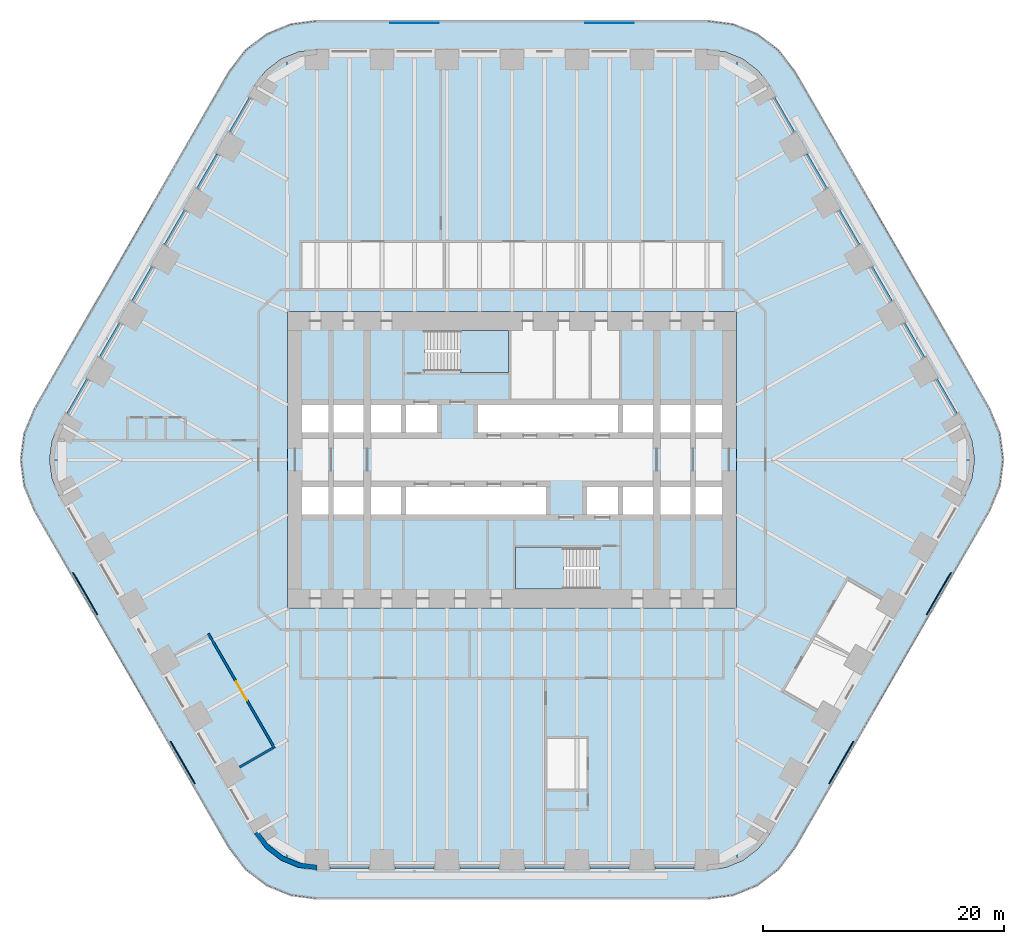
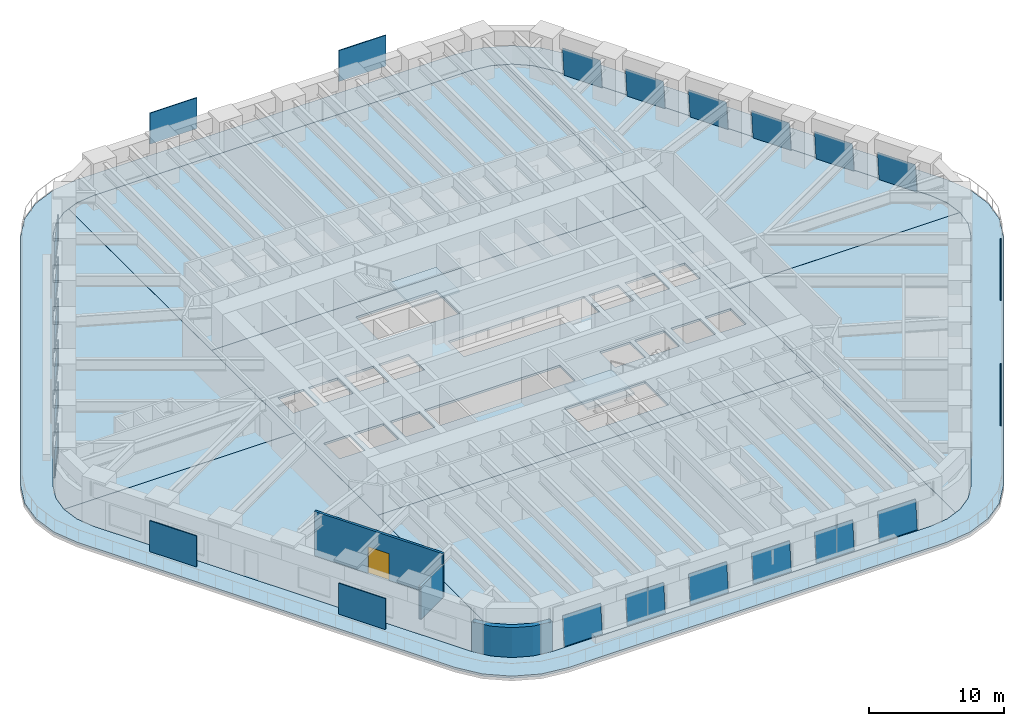
# One storey, part 15 of 23: 24 plates, 10 slabs, 3 walls, 1 door, 1 opening, 20 elements without a shape of their own.
"""IFC4 building model written with IfcOpenShell, lengths in metres."""

import ifcopenshell
import ifcopenshell.guid

model = None  # the IFC model being written
_history = None  # IfcOwnerHistory: only IFC2X3 demands one
_inside = {}  # id of a spatial element -> (the spatial element, [elements in it])
_under = {}  # id of a project, library or spatial element -> (it, [spatial elements below it])
_declared = {}  # id of a project -> (the project, [libraries it declares])
_typed = {}  # id of a type object -> (the type object, [elements of that type])
_made_of = {}  # id of a material, layer set ... -> (it, [elements and type objects made of it])


def new_model(schema):
    """Start an empty IFC model of exactly this schema.

    Asked for "IFC4X3", IfcOpenShell would pick the latest addendum, in which some entities
    have other attributes; the version numbers below select the first issue.
    IFC2X3 requires an IfcOwnerHistory on every rooted entity: one is made here for all.
    """
    global model, _history
    if schema == "IFC4X3":
        model = ifcopenshell.file(schema_version=(4, 3, 0, 0))
    else:
        model = ifcopenshell.file(schema=schema)
    _inside.clear()
    _under.clear()
    _declared.clear()
    _typed.clear()
    _made_of.clear()
    _history = None
    if model.schema == "IFC2X3":
        org = make("IfcOrganization", Name="unknown")
        user = make(
            "IfcPersonAndOrganization",
            ThePerson=make("IfcPerson", FamilyName="unknown"),
            TheOrganization=org,
        )
        app = make(
            "IfcApplication",
            ApplicationDeveloper=org,
            Version="unknown",
            ApplicationFullName="unknown",
            ApplicationIdentifier="unknown",
        )
        _history = make(
            "IfcOwnerHistory",
            OwningUser=user,
            OwningApplication=app,
            ChangeAction="ADDED",
            CreationDate=0,
        )
    return model


def make(cls, **values):
    """One entity of the class cls with the attributes given. An attribute that is None is left unset."""
    return model.create_entity(
        cls, **{name: value for name, value in values.items() if value is not None}
    )


def rooted(cls, **values):
    """An entity with a GlobalId (a new one), such as an element, a storey or a relation."""
    return make(cls, GlobalId=ifcopenshell.guid.new(), OwnerHistory=_history, **values)


def si_unit(unit_type, name, prefix=None):
    """IfcSIUnit, for example si_unit("LENGTHUNIT", "METRE", prefix="MILLI")."""
    return make("IfcSIUnit", UnitType=unit_type, Prefix=prefix, Name=name)


def assignment(units):
    """IfcUnitAssignment: the units of a project."""
    return None if units is None else make("IfcUnitAssignment", Units=units)


def point(xyz):
    """IfcCartesianPoint."""
    return None if xyz is None else make("IfcCartesianPoint", Coordinates=xyz)


def direction(xyz):
    """IfcDirection."""
    return None if xyz is None else make("IfcDirection", DirectionRatios=xyz)


def frame(location, z_axis=None, x_axis=None):
    """IfcAxis2Placement3D, a coordinate frame: its origin and axes. An axis left out is left unset."""
    return make(
        "IfcAxis2Placement3D",
        Location=point(location),
        Axis=direction(z_axis),
        RefDirection=direction(x_axis),
    )


def frame_2d(location, x_axis=None):
    """IfcAxis2Placement2D, a coordinate frame in the plane: its origin and x axis."""
    return make(
        "IfcAxis2Placement2D", Location=point(location), RefDirection=direction(x_axis)
    )


def origin():
    """The frame at (0, 0, 0) with its axes left unset."""
    return frame((0.0, 0.0, 0.0))


def origin_2d():
    """The frame at (0, 0) in the plane with its x axis left unset."""
    return frame_2d((0.0, 0.0))


def place(relative_to, where):
    """IfcLocalPlacement: puts the frame where relative to a parent placement (None: the world)."""
    return make(
        "IfcLocalPlacement", PlacementRelTo=relative_to, RelativePlacement=where
    )


def context(
    kind, dimensions, precision=None, world=None, true_north=None, identifier=None
):
    """IfcGeometricRepresentationContext, for example the 3D "Model" context."""
    return make(
        "IfcGeometricRepresentationContext",
        ContextIdentifier=identifier,
        ContextType=kind,
        CoordinateSpaceDimension=dimensions,
        Precision=precision,
        WorldCoordinateSystem=world,
        TrueNorth=true_north,
    )


def subcontext(parent, identifier, kind, view, scale=None):
    """IfcGeometricRepresentationSubContext, for example "Body" below "Model"."""
    return make(
        "IfcGeometricRepresentationSubContext",
        ContextIdentifier=identifier,
        ContextType=kind,
        ParentContext=parent,
        TargetScale=scale,
        TargetView=view,
    )


def project(units=None, contexts=None):
    """IfcProject with its units and contexts."""
    return rooted(
        "IfcProject",
        Name="project",
        RepresentationContexts=contexts,
        UnitsInContext=assignment(units),
    )


def spatial(cls, under=None, at=None, **own):
    """A site, building, storey or space (cls), placed at a placement, below another one or the project."""
    s = rooted(cls, ObjectPlacement=at, **own)
    if under is not None:
        _under.setdefault(under.id(), (under, []))[1].append(s)
    return s


def polyline(points):
    """IfcPolyline through the points."""
    return make("IfcPolyline", Points=[point(p) for p in points])


def profile(cls, at=None, kind="AREA", **sizes):
    """A parametric profile (cls). Its sizes go by their IFC names, for example OverallWidth=200.0."""
    return make(cls, ProfileType=kind, Position=at, **sizes)


def rectangle(**sizes):
    """IfcRectangleProfileDef."""
    return profile("IfcRectangleProfileDef", **sizes)


def outline(outer, holes=None, kind="AREA"):
    """IfcArbitraryClosedProfileDef: a profile drawn as a closed curve; with holes, ...WithVoids."""
    if holes is None:
        return make("IfcArbitraryClosedProfileDef", ProfileType=kind, OuterCurve=outer)
    return make(
        "IfcArbitraryProfileDefWithVoids",
        ProfileType=kind,
        OuterCurve=outer,
        InnerCurves=holes,
    )


def extrude(swept, where, along, depth):
    """IfcExtrudedAreaSolid: the profile swept, set in the frame where, extruded along a direction by depth."""
    return make(
        "IfcExtrudedAreaSolid",
        SweptArea=swept,
        Position=where,
        ExtrudedDirection=direction(along),
        Depth=depth,
    )


def shape(context_of_items, identifier, shape_type, items):
    """IfcShapeRepresentation: the items that make up one representation, for example the "Body"."""
    return make(
        "IfcShapeRepresentation",
        ContextOfItems=context_of_items,
        RepresentationIdentifier=identifier,
        RepresentationType=shape_type,
        Items=items,
    )


def material(Name=None, Category=None):
    """IfcMaterial."""
    return make("IfcMaterial", Name=Name, Category=Category)


def layer(
    of_material, thickness, ventilated=None, Name=None, Category=None, Priority=None
):
    """IfcMaterialLayer: one layer of a wall or slab, of a material (None: an air gap)."""
    return make(
        "IfcMaterialLayer",
        Material=of_material,
        LayerThickness=thickness,
        IsVentilated=ventilated,
        Name=Name,
        Category=Category,
        Priority=Priority,
    )


def layer_set(layers, Name=None):
    """IfcMaterialLayerSet."""
    return make("IfcMaterialLayerSet", MaterialLayers=layers, LayerSetName=Name)


def made_of(thing, what):
    """Note that an element or type object is made of a material, layer set ...; save() writes the relation."""
    if what is not None:
        _made_of.setdefault(what.id(), (what, []))[1].append(thing)
    return thing


def type_object(cls, material=None, **own):
    """A type object (cls), such as IfcWallType, which elements share."""
    return made_of(rooted(cls, **own), material)


def element(
    cls,
    number,
    at=None,
    inside=None,
    cuts=None,
    type_object=None,
    material=None,
    context=None,
    identifier="Body",
    shape_type=None,
    held_by="IfcProductDefinitionShape",
    body=None,
    shapes=None,
    **own,
):
    """One element of the class cls, such as IfcWall. Its Tag is "e" and its number.

    at: its placement. inside: the storey or other place that contains it. cuts: it is an
    opening in that element (IfcRelVoidsElement). A single representation is given by context,
    identifier, shape_type and body (its items); several are given by shapes. held_by: the class
    of the entity that holds the representations. save() writes the other relations.
    """
    e = rooted(cls, Tag="e%d" % number, ObjectPlacement=at, **own)
    if body is not None:
        shapes = [shape(context, identifier, shape_type, body)]
    if shapes is not None:
        e.Representation = make(held_by, Representations=shapes)
    if inside is not None:
        _inside.setdefault(inside.id(), (inside, []))[1].append(e)
    if cuts is not None:
        rooted(
            "IfcRelVoidsElement", RelatingBuildingElement=cuts, RelatedOpeningElement=e
        )
    if type_object is not None:
        _typed.setdefault(type_object.id(), (type_object, []))[1].append(e)
    return made_of(e, material)


def fill(opening, filler):
    """IfcRelFillsElement: the door or window that sits in an opening."""
    return rooted(
        "IfcRelFillsElement",
        RelatingOpeningElement=opening,
        RelatedBuildingElement=filler,
    )


def aggregate(whole, parts):
    """IfcRelAggregates: a whole, such as a stair, and the parts it consists of."""
    return rooted("IfcRelAggregates", RelatingObject=whole, RelatedObjects=parts)


def save(model, path):
    """Write the relations noted so far, then the file.

    IfcRelAggregates (storeys below a building ...), IfcRelContainedInSpatialStructure (elements
    in a storey), IfcRelDefinesByType, IfcRelAssociatesMaterial and IfcRelDeclares: one each for
    every whole, place, type object, material and project.
    """
    for whole, parts in _under.values():
        aggregate(whole, parts)
    for where, things in _inside.values():
        rooted(
            "IfcRelContainedInSpatialStructure",
            RelatedElements=things,
            RelatingStructure=where,
        )
    for kind, things in _typed.values():
        rooted("IfcRelDefinesByType", RelatedObjects=things, RelatingType=kind)
    for what, things in _made_of.values():
        rooted("IfcRelAssociatesMaterial", RelatedObjects=things, RelatingMaterial=what)
    for by, libraries in _declared.values():
        rooted("IfcRelDeclares", RelatingContext=by, RelatedDefinitions=libraries)
    model.write(path)


model = new_model("IFC4")

# Units and contexts
model_context = context("Model", 3, precision=1e-05, world=origin(), true_north=direction((0.0, 1.0)))
body_context = subcontext(model_context, "Body", "Model", "MODEL_VIEW")
ifc_project = project(units=[si_unit("LENGTHUNIT", "METRE"), si_unit("AREAUNIT", "SQUARE_METRE"), si_unit("VOLUMEUNIT", "CUBIC_METRE"), si_unit("PLANEANGLEUNIT", "RADIAN"), si_unit("MASSUNIT", "GRAM", prefix="KILO")], contexts=[model_context])

# Site, building, storey
site_placement = place(None, origin())
site = spatial("IfcSite", under=ifc_project, at=site_placement, CompositionType="ELEMENT")
building_placement = place(site_placement, origin())
building = spatial("IfcBuilding", under=site, at=building_placement, Name="Tarfa Lantern Tower", CompositionType="ELEMENT")
storey_placement = place(building_placement, frame((0.0, 0.0, 78.10009765625)))
storey = spatial("IfcBuildingStorey", under=building, at=storey_placement, Name="L17", CompositionType="ELEMENT", Elevation=78.10009765625)

# Slab
ifc_material_1 = material(Name="Concrete C40/50", Category="concrete")
ifc_layer_1 = layer(ifc_material_1, 0.199951171875)
ifc_layer_set_1 = layer_set([ifc_layer_1], Name="BS2 BALCONY SLAB 200")
slab_type_1 = type_object("IfcSlabType", Name="BS2 BALCONY SLAB 200", PredefinedType="FLOOR", material=ifc_layer_set_1)
slab_1_placement = place(storey_placement, frame((0.0, 0.0, -0.2001953125)))
element("IfcSlab", 1, at=slab_1_placement, inside=storey, type_object=slab_type_1, Name="Balcony L17", PredefinedType="FLOOR", context=body_context, shape_type="SweptSolid", body=[
    extrude(outline(polyline([(39.606201171875, 4.199951171875), (23.4404296875, 32.199951171875), (22.10546875, 33.939697265625), (20.36572265625, 35.274658203125), (18.33984375, 36.11376953125), (16.165771484375, 36.39990234375), (-16.165771484375, 36.39990234375), (-18.33984375, 36.11376953125), (-20.36572265625, 35.274658203125), (-22.10546875, 33.939697265625), (-23.4404296875, 32.199951171875), (-39.606201171875, 4.199951171875), (-40.4453125, 2.174072265625), (-40.731689453125, 0.0), (-40.4453125, -2.174072265625), (-39.606201171875, -4.199951171875), (-23.4404296875, -32.199951171875), (-22.10546875, -33.939697265625), (-20.36572265625, -35.274658203125), (-18.33984375, -36.11376953125), (-16.165771484375, -36.39990234375), (16.165771484375, -36.39990234375), (18.33984375, -36.11376953125), (20.36572265625, -35.274658203125), (22.10546875, -33.939697265625), (23.4404296875, -32.199951171875), (39.606201171875, -4.199951171875), (40.4453125, -2.174072265625), (40.731689453125, 0.0), (40.4453125, 2.174072265625), (39.606201171875, 4.199951171875)]), holes=[polyline([(37.52783203125, 3.0), (21.362060546875, 31.0), (20.408447265625, 32.24267578125), (19.165771484375, 33.196044921875), (17.71875, 33.795654296875), (16.165771484375, 34.0), (-16.165771484375, 34.0), (-17.71875, 33.795654296875), (-19.165771484375, 33.196044921875), (-20.408447265625, 32.24267578125), (-21.362060546875, 31.0), (-37.52783203125, 3.0), (-38.127197265625, 1.552978515625), (-38.33154296875, 0.0), (-38.127197265625, -1.552978515625), (-37.52783203125, -3.0), (-21.362060546875, -31.0), (-20.408447265625, -32.24267578125), (-19.165771484375, -33.196044921875), (-17.71875, -33.795654296875), (-16.165771484375, -34.0), (16.165771484375, -34.0), (17.71875, -33.795654296875), (19.165771484375, -33.196044921875), (20.408447265625, -32.24267578125), (21.362060546875, -31.0), (37.52783203125, -3.0), (38.127197265625, -1.552978515625), (38.33154296875, 0.0), (38.127197265625, 1.552978515625), (37.52783203125, 3.0)])]), origin(), (0.0, 0.0, 1.0), 0.2001953125),
])

# Curtain wall, plate
ifc_material_2 = material(Name="Aluminium framed curtain wall", Category="aluminium")
curtain_wall_type = type_object("IfcCurtainWallType", Name="CW1 CANTED GLAZING LOW ZONE 2700", PredefinedType="USERDEFINED", material=ifc_material_2)
curtain_wall_1_placement = place(storey_placement, origin())
curtain_wall_1 = element("IfcCurtainWall", 2, at=curtain_wall_1_placement, inside=storey, type_object=curtain_wall_type, Name="CW1 NE L17", ObjectType="CURTAIN WALL", PredefinedType="USERDEFINED")
ifc_material_3 = material(Name="Laminated double glazing", Category="glass")
ifc_layer_2 = layer(ifc_material_3, 0.028076171875)
ifc_layer_set_2 = layer_set([ifc_layer_2], Name="CWP1 DOUBLE GLAZED PANEL")
plate_type_1 = type_object("IfcPlateType", Name="CWP1 DOUBLE GLAZED PANEL", PredefinedType="CURTAIN_PANEL", material=ifc_layer_set_2)
plate_1_placement = place(storey_placement, frame((36.90869140625, 3.872314453125, 0.0), z_axis=(0.862338266797, 0.497864384763, 0.09221587717), x_axis=(-0.499995082658, 0.86602824279, 2.978908e-06)))
plate_1 = element("IfcPlate", 3, at=plate_1_placement, type_object=plate_type_1, Name="CW1 panel 1.1", PredefinedType="CURTAIN_PANEL", context=body_context, shape_type="SweptSolid", body=[
    extrude(outline(polyline([(0.0, 0.0), (3.258639560562134, 0.0), (3.2585208536427297, 2.646275738901332), (3.3621925729925773e-06, 2.646295235988971), (0.0, 0.0)])), origin(), (0.0, 0.0, -1.0), 0.028076171875),
])
aggregate(curtain_wall_1, [plate_1])

curtain_wall_2_placement = place(storey_placement, origin())
curtain_wall_2 = element("IfcCurtainWall", 4, at=curtain_wall_2_placement, inside=storey, type_object=curtain_wall_type, Name="CW1 NE L17", ObjectType="CURTAIN WALL", PredefinedType="USERDEFINED")
plate_2_placement = place(storey_placement, frame((34.21435546875, 8.5390625, 0.0), z_axis=(0.862325290636, 0.497894194109, 0.092176269198), x_axis=(-0.500022939057, 0.866012159509, 0.0)))
plate_2 = element("IfcPlate", 5, at=plate_2_placement, type_object=plate_type_1, Name="CW1 panel 1.1", PredefinedType="CURTAIN_PANEL", context=body_context, shape_type="SweptSolid", body=[
    extrude(outline(polyline([(0.0, 0.0), (3.2586395622623687, 0.0), (3.2585208519425555, 2.6462757409948594), (-0.0001187103198132533, 2.6462757409948594), (0.0, 0.0)])), origin(), (0.0, 0.0, -1.0), 0.028076171875),
])
aggregate(curtain_wall_2, [plate_2])

curtain_wall_3_placement = place(storey_placement, origin())
curtain_wall_3 = element("IfcCurtainWall", 6, at=curtain_wall_3_placement, inside=storey, type_object=curtain_wall_type, Name="CW1 NE L17", ObjectType="CURTAIN WALL", PredefinedType="USERDEFINED")
plate_3_placement = place(storey_placement, frame((31.52001953125, 13.20556640625, 0.0), z_axis=(0.862341934097, 0.49786650205, 0.092170140692), x_axis=(-0.499994605049, 0.866028518533, -2.977555e-06)))
plate_3 = element("IfcPlate", 7, at=plate_3_placement, type_object=plate_type_1, Name="CW1 panel 1.1", PredefinedType="CURTAIN_PANEL", context=body_context, shape_type="SweptSolid", body=[
    extrude(outline(polyline([(0.0, 0.0), (3.258517491508472, 2.7755575615628914e-17), (3.2587164564684317, 2.646283977845527), (7.689596458644864e-05, 2.6462644896978658), (0.0, 0.0)])), origin(), (0.0, 0.0, -1.0), 0.028076171875),
])
aggregate(curtain_wall_3, [plate_3])

curtain_wall_4_placement = place(storey_placement, origin())
curtain_wall_4 = element("IfcCurtainWall", 8, at=curtain_wall_4_placement, inside=storey, type_object=curtain_wall_type, Name="CW1 NE L17", ObjectType="CURTAIN WALL", PredefinedType="USERDEFINED")
plate_4_placement = place(storey_placement, frame((28.82568359375, 17.872314453125, 0.0), z_axis=(0.862338266797, 0.497864384763, 0.09221587717), x_axis=(-0.499994604812, 0.86602851867, -2.97902e-06)))
plate_4 = element("IfcPlate", 9, at=plate_4_placement, type_object=plate_type_1, Name="CW1 panel 1.1", PredefinedType="CURTAIN_PANEL", context=body_context, shape_type="SweptSolid", body=[
    extrude(outline(polyline([(0.0, 0.0), (3.2585174915084862, -2.7755575615628914e-17), (3.2585050197979823, 2.646295235961718), (-0.000134540705819584, 2.646275738143688), (0.0, 0.0)])), origin(), (0.0, 0.0, -1.0), 0.028076171875),
])
aggregate(curtain_wall_4, [plate_4])

curtain_wall_5_placement = place(storey_placement, origin())
curtain_wall_5 = element("IfcCurtainWall", 10, at=curtain_wall_5_placement, inside=storey, type_object=curtain_wall_type, Name="CW1 NE L17", ObjectType="CURTAIN WALL", PredefinedType="USERDEFINED")
plate_5_placement = place(storey_placement, frame((26.13134765625, 22.5390625, 0.0), z_axis=(0.862338266797, 0.497864384763, 0.09221587717), x_axis=(-0.499994604812, 0.86602851867, -2.97902e-06)))
plate_5 = element("IfcPlate", 11, at=plate_5_placement, type_object=plate_type_1, Name="CW1 panel 1.1", PredefinedType="CURTAIN_PANEL", context=body_context, shape_type="SweptSolid", body=[
    extrude(outline(polyline([(0.0, 0.0), (3.2585174915084862, -2.7755575615628914e-17), (3.2585050197979823, 2.646295235961718), (-0.000134540705819584, 2.646275738143688), (0.0, 0.0)])), origin(), (0.0, 0.0, -1.0), 0.028076171875),
])
aggregate(curtain_wall_5, [plate_5])

curtain_wall_6_placement = place(storey_placement, origin())
curtain_wall_6 = element("IfcCurtainWall", 12, at=curtain_wall_6_placement, inside=storey, type_object=curtain_wall_type, Name="CW1 NE L17", ObjectType="CURTAIN WALL", PredefinedType="USERDEFINED")
plate_6_placement = place(storey_placement, frame((23.437255859375, 27.20556640625, 0.0), z_axis=(0.862341934097, 0.49786650205, 0.092170140692), x_axis=(-0.499995082421, 0.866028242926, 2.977443e-06)))
plate_6 = element("IfcPlate", 13, at=plate_6_placement, type_object=plate_type_1, Name="CW1 panel 1.1", PredefinedType="CURTAIN_PANEL", context=body_context, shape_type="SweptSolid", body=[
    extrude(outline(polyline([(0.0, 0.0), (3.2586395605621195, -2.7755575615628914e-17), (3.2587322823927347, 2.64626448919067), (0.0002147909425344405, 2.6462839766083026), (0.0, 0.0)])), origin(), (0.0, 0.0, -1.0), 0.028076171875),
])
aggregate(curtain_wall_6, [plate_6])

curtain_wall_7_placement = place(storey_placement, origin())
curtain_wall_7 = element("IfcCurtainWall", 14, at=curtain_wall_7_placement, inside=storey, type_object=curtain_wall_type, Name="CW1 NW L17", ObjectType="CURTAIN WALL", PredefinedType="USERDEFINED")
plate_7_placement = place(storey_placement, frame((-21.807861328125, 30.027587890625, 0.0), z_axis=(-0.862341934097, 0.49786650205, 0.092170140692), x_axis=(-0.499995082421, -0.866028242926, -2.977443e-06)))
plate_7 = element("IfcPlate", 15, at=plate_7_placement, type_object=plate_type_1, Name="CW1 panel 1.1", PredefinedType="CURTAIN_PANEL", context=body_context, shape_type="SweptSolid", body=[
    extrude(outline(polyline([(0.0, 0.0), (3.2586395605621195, 2.7755575615628914e-17), (3.2584247696195847, 2.6462839766083026), (-9.272183061532521e-05, 2.64626448919067), (0.0, 0.0)])), origin(), (0.0, 0.0, -1.0), 0.028076171875),
])
aggregate(curtain_wall_7, [plate_7])

curtain_wall_8_placement = place(storey_placement, origin())
curtain_wall_8 = element("IfcCurtainWall", 16, at=curtain_wall_8_placement, inside=storey, type_object=curtain_wall_type, Name="CW1 NW L17", ObjectType="CURTAIN WALL", PredefinedType="USERDEFINED")
plate_8_placement = place(storey_placement, frame((-24.502197265625, 25.361083984375, 0.0), z_axis=(-0.862338266797, 0.497864384763, 0.09221587717), x_axis=(-0.499994604812, -0.86602851867, 2.97902e-06)))
plate_8 = element("IfcPlate", 17, at=plate_8_placement, type_object=plate_type_1, Name="CW1 panel 1.1", PredefinedType="CURTAIN_PANEL", context=body_context, shape_type="SweptSolid", body=[
    extrude(outline(polyline([(0.0, 0.0), (3.2585174915084862, 2.7755575615628914e-17), (3.2586520322143055, 2.646275738143688), (1.2471710504126e-05, 2.646295235961718), (0.0, 0.0)])), origin(), (0.0, 0.0, -1.0), 0.028076171875),
])
aggregate(curtain_wall_8, [plate_8])

curtain_wall_9_placement = place(storey_placement, origin())
curtain_wall_9 = element("IfcCurtainWall", 18, at=curtain_wall_9_placement, inside=storey, type_object=curtain_wall_type, Name="CW1 NW L17", ObjectType="CURTAIN WALL", PredefinedType="USERDEFINED")
plate_9_placement = place(storey_placement, frame((-27.196533203125, 20.6943359375, 0.0), z_axis=(-0.862338266797, 0.497864384763, 0.09221587717), x_axis=(-0.499994604812, -0.86602851867, 2.97902e-06)))
plate_9 = element("IfcPlate", 19, at=plate_9_placement, type_object=plate_type_1, Name="CW1 panel 1.1", PredefinedType="CURTAIN_PANEL", context=body_context, shape_type="SweptSolid", body=[
    extrude(outline(polyline([(0.0, 0.0), (3.2585174915084862, 2.7755575615628914e-17), (3.2586520322143055, 2.646275738143688), (1.2471710504126e-05, 2.646295235961718), (0.0, 0.0)])), origin(), (0.0, 0.0, -1.0), 0.028076171875),
])
aggregate(curtain_wall_9, [plate_9])

curtain_wall_10_placement = place(storey_placement, origin())
curtain_wall_10 = element("IfcCurtainWall", 20, at=curtain_wall_10_placement, inside=storey, type_object=curtain_wall_type, Name="CW1 NW L17", ObjectType="CURTAIN WALL", PredefinedType="USERDEFINED")
plate_10_placement = place(storey_placement, frame((-29.890869140625, 16.027587890625, 0.0), z_axis=(-0.862341934097, 0.49786650205, 0.092170140692), x_axis=(-0.499994605049, -0.866028518533, 2.977555e-06)))
plate_10 = element("IfcPlate", 21, at=plate_10_placement, type_object=plate_type_1, Name="CW1 panel 1.1", PredefinedType="CURTAIN_PANEL", context=body_context, shape_type="SweptSolid", body=[
    extrude(outline(polyline([(0.0, 0.0), (3.258517491508472, -2.7755575615628914e-17), (3.258440595543886, 2.6462644896978658), (-0.00019896495995976314, 2.646283977845527), (0.0, 0.0)])), origin(), (0.0, 0.0, -1.0), 0.028076171875),
])
aggregate(curtain_wall_10, [plate_10])

curtain_wall_11_placement = place(storey_placement, origin())
curtain_wall_11 = element("IfcCurtainWall", 22, at=curtain_wall_11_placement, inside=storey, type_object=curtain_wall_type, Name="CW1 NW L17", ObjectType="CURTAIN WALL", PredefinedType="USERDEFINED")
plate_11_placement = place(storey_placement, frame((-32.5849609375, 11.361083984375, 0.0), z_axis=(-0.862325290636, 0.497894194109, 0.092176269198), x_axis=(-0.500022939057, -0.866012159509, 0.0)))
plate_11 = element("IfcPlate", 23, at=plate_11_placement, type_object=plate_type_1, Name="CW1 panel 1.1", PredefinedType="CURTAIN_PANEL", context=body_context, shape_type="SweptSolid", body=[
    extrude(outline(polyline([(0.0, 0.0), (3.2586395622623687, 0.0), (3.258758272582182, 2.6462757409948594), (0.0001187103198132533, 2.6462757409948594), (0.0, 0.0)])), origin(), (0.0, 0.0, -1.0), 0.028076171875),
])
aggregate(curtain_wall_11, [plate_11])

curtain_wall_12_placement = place(storey_placement, origin())
curtain_wall_12 = element("IfcCurtainWall", 24, at=curtain_wall_12_placement, inside=storey, type_object=curtain_wall_type, Name="CW1 NW L17", ObjectType="CURTAIN WALL", PredefinedType="USERDEFINED")
plate_12_placement = place(storey_placement, frame((-35.279296875, 6.6943359375, 0.0), z_axis=(-0.862338266797, 0.497864384763, 0.09221587717), x_axis=(-0.499995082658, -0.86602824279, -2.978908e-06)))
plate_12 = element("IfcPlate", 25, at=plate_12_placement, type_object=plate_type_1, Name="CW1 panel 1.1", PredefinedType="CURTAIN_PANEL", context=body_context, shape_type="SweptSolid", body=[
    extrude(outline(polyline([(0.0, 0.0), (3.258639560562134, 0.0), (3.258636198369561, 2.646295235988971), (0.00011870691940396534, 2.646275738901332), (0.0, 0.0)])), origin(), (0.0, 0.0, -1.0), 0.028076171875),
])
aggregate(curtain_wall_12, [plate_12])

curtain_wall_13_placement = place(storey_placement, origin())
curtain_wall_13 = element("IfcCurtainWall", 26, at=curtain_wall_13_placement, inside=storey, type_object=curtain_wall_type, Name="CW1 S L17", ObjectType="CURTAIN WALL", PredefinedType="USERDEFINED")
plate_13_placement = place(storey_placement, frame((-15.100830078125, -33.89990234375, 0.0), z_axis=(0.0, -0.995743653657, 0.092166025202), x_axis=(1.0, 0.0, 0.0)))
plate_13 = element("IfcPlate", 27, at=plate_13_placement, type_object=plate_type_1, Name="CW1 panel 1.1", PredefinedType="CURTAIN_PANEL", context=body_context, shape_type="SweptSolid", body=[
    extrude(outline(polyline([(0.0, 0.0), (3.258544921875, 0.0), (3.258544921875, 2.6462732209712594), (0.0, 2.6462732209712594), (0.0, 0.0)])), origin(), (0.0, 0.0, -1.0), 0.028076171875),
])
aggregate(curtain_wall_13, [plate_13])

curtain_wall_14_placement = place(storey_placement, origin())
curtain_wall_14 = element("IfcCurtainWall", 28, at=curtain_wall_14_placement, inside=storey, type_object=curtain_wall_type, Name="CW1 S L17", ObjectType="CURTAIN WALL", PredefinedType="USERDEFINED")
plate_14_placement = place(storey_placement, frame((-9.712158203125, -33.89990234375, 0.0), z_axis=(0.0, -0.995743653657, 0.092166025202), x_axis=(1.0, 0.0, 0.0)))
plate_14 = element("IfcPlate", 29, at=plate_14_placement, type_object=plate_type_1, Name="CW1 panel 1.1", PredefinedType="CURTAIN_PANEL", context=body_context, shape_type="SweptSolid", body=[
    extrude(outline(polyline([(0.0, 0.0), (3.258544921875, 0.0), (3.258544921875, 2.6462732209712594), (0.0, 2.6462732209712594), (0.0, 0.0)])), origin(), (0.0, 0.0, -1.0), 0.028076171875),
])
aggregate(curtain_wall_14, [plate_14])

curtain_wall_15_placement = place(storey_placement, origin())
curtain_wall_15 = element("IfcCurtainWall", 30, at=curtain_wall_15_placement, inside=storey, type_object=curtain_wall_type, Name="CW1 S L17", ObjectType="CURTAIN WALL", PredefinedType="USERDEFINED")
plate_15_placement = place(storey_placement, frame((-4.323486328125, -33.89990234375, 0.0), z_axis=(0.0, -0.995743653657, 0.092166025202), x_axis=(1.0, 0.0, 0.0)))
plate_15 = element("IfcPlate", 31, at=plate_15_placement, type_object=plate_type_1, Name="CW1 panel 1.1", PredefinedType="CURTAIN_PANEL", context=body_context, shape_type="SweptSolid", body=[
    extrude(outline(polyline([(0.0, 0.0), (3.258544921875, 0.0), (3.258544921875, 2.6462732209712594), (0.0, 2.6462732209712594), (0.0, 0.0)])), origin(), (0.0, 0.0, -1.0), 0.028076171875),
])
aggregate(curtain_wall_15, [plate_15])

curtain_wall_16_placement = place(storey_placement, origin())
curtain_wall_16 = element("IfcCurtainWall", 32, at=curtain_wall_16_placement, inside=storey, type_object=curtain_wall_type, Name="CW1 S L17", ObjectType="CURTAIN WALL", PredefinedType="USERDEFINED")
plate_16_placement = place(storey_placement, frame((1.06494140625, -33.89990234375, 0.0), z_axis=(0.0, -0.995743653657, 0.092166025202), x_axis=(1.0, 0.0, 0.0)))
plate_16 = element("IfcPlate", 33, at=plate_16_placement, type_object=plate_type_1, Name="CW1 panel 1.1", PredefinedType="CURTAIN_PANEL", context=body_context, shape_type="SweptSolid", body=[
    extrude(outline(polyline([(0.0, 0.0), (3.258544921875, 0.0), (3.258544921875, 2.6462732209712594), (0.0, 2.6462732209712594), (0.0, 0.0)])), origin(), (0.0, 0.0, -1.0), 0.028076171875),
])
aggregate(curtain_wall_16, [plate_16])

curtain_wall_17_placement = place(storey_placement, origin())
curtain_wall_17 = element("IfcCurtainWall", 34, at=curtain_wall_17_placement, inside=storey, type_object=curtain_wall_type, Name="CW1 S L17", ObjectType="CURTAIN WALL", PredefinedType="USERDEFINED")
plate_17_placement = place(storey_placement, frame((6.45361328125, -33.89990234375, 0.0), z_axis=(0.0, -0.995743653657, 0.092166025202), x_axis=(1.0, 0.0, 0.0)))
plate_17 = element("IfcPlate", 35, at=plate_17_placement, type_object=plate_type_1, Name="CW1 panel 1.1", PredefinedType="CURTAIN_PANEL", context=body_context, shape_type="SweptSolid", body=[
    extrude(outline(polyline([(0.0, 0.0), (3.258544921875, 0.0), (3.258544921875, 2.6462732209712594), (0.0, 2.6462732209712594), (0.0, 0.0)])), origin(), (0.0, 0.0, -1.0), 0.028076171875),
])
aggregate(curtain_wall_17, [plate_17])

curtain_wall_18_placement = place(storey_placement, origin())
curtain_wall_18 = element("IfcCurtainWall", 36, at=curtain_wall_18_placement, inside=storey, type_object=curtain_wall_type, Name="CW1 S L17", ObjectType="CURTAIN WALL", PredefinedType="USERDEFINED")
plate_18_placement = place(storey_placement, frame((11.84228515625, -33.89990234375, 0.0), z_axis=(0.0, -0.995743653657, 0.092166025202), x_axis=(1.0, 0.0, 0.0)))
plate_18 = element("IfcPlate", 37, at=plate_18_placement, type_object=plate_type_1, Name="CW1 panel 1.1", PredefinedType="CURTAIN_PANEL", context=body_context, shape_type="SweptSolid", body=[
    extrude(outline(polyline([(0.0, 0.0), (3.258544921875, 0.0), (3.258544921875, 2.6462732209712594), (0.0, 2.6462732209712594), (0.0, 0.0)])), origin(), (0.0, 0.0, -1.0), 0.028076171875),
])
aggregate(curtain_wall_18, [plate_18])

# Slabs
ifc_layer_3 = layer(ifc_material_1, 0.199951171875)
ifc_layer_set_3 = layer_set([ifc_layer_3], Name="FS1 FLOOR SLAB 200")
slab_type_2 = type_object("IfcSlabType", Name="FS1 FLOOR SLAB 200", PredefinedType="FLOOR", material=ifc_layer_set_3)
slab_2_placement = place(storey_placement, frame((0.0, 0.0, -0.2001953125)))
element("IfcSlab", 38, at=slab_2_placement, inside=storey, type_object=slab_type_2, Name="Floor slab L17", PredefinedType="FLOOR", context=body_context, shape_type="SweptSolid", body=[
    extrude(outline(polyline([(-18.60009765625, -12.300048828125), (18.60009765625, -12.300048828125), (18.60009765625, 12.300048828125), (-18.60009765625, 12.300048828125), (-18.60009765625, -12.300048828125)]), holes=[polyline([(-17.39990234375, 2.25), (-15.199951171875, 2.25), (-15.199951171875, 4.550048828125), (-17.39990234375, 4.550048828125), (-17.39990234375, 2.25)]), polyline([(-14.800048828125, 2.25), (-12.300048828125, 2.25), (-12.300048828125, 4.550048828125), (-14.800048828125, 4.550048828125), (-14.800048828125, 2.25)]), polyline([(-11.699951171875, 2.25), (-9.199951171875, 2.25), (-9.199951171875, 4.550048828125), (-11.699951171875, 4.550048828125), (-11.699951171875, 2.25)]), polyline([(-8.800048828125, 2.25), (-6.199951171875, 2.25), (-6.199951171875, 4.550048828125), (-8.800048828125, 4.550048828125), (-8.800048828125, 2.25)]), polyline([(-2.800048828125, 2.25), (8.800048828125, 2.25), (8.800048828125, 4.550048828125), (-2.800048828125, 4.550048828125), (-2.800048828125, 2.25)]), polyline([(9.199951171875, 2.25), (11.699951171875, 2.25), (11.699951171875, 4.550048828125), (9.199951171875, 4.550048828125), (9.199951171875, 2.25)]), polyline([(12.300048828125, 2.25), (14.800048828125, 2.25), (14.800048828125, 4.550048828125), (12.300048828125, 4.550048828125), (12.300048828125, 2.25)]), polyline([(15.199951171875, 2.25), (17.39990234375, 2.25), (17.39990234375, 4.550048828125), (15.199951171875, 4.550048828125), (15.199951171875, 2.25)]), polyline([(17.39990234375, -2.25), (15.199951171875, -2.25), (15.199951171875, -4.550048828125), (17.39990234375, -4.550048828125), (17.39990234375, -2.25)]), polyline([(14.800048828125, -2.25), (12.300048828125, -2.25), (12.300048828125, -4.550048828125), (14.800048828125, -4.550048828125), (14.800048828125, -2.25)]), polyline([(11.699951171875, -2.25), (9.199951171875, -2.25), (9.199951171875, -4.550048828125), (11.699951171875, -4.550048828125), (11.699951171875, -2.25)]), polyline([(8.800048828125, -2.25), (6.199951171875, -2.25), (6.199951171875, -4.550048828125), (8.800048828125, -4.550048828125), (8.800048828125, -2.25)]), polyline([(2.800048828125, -2.25), (-8.800048828125, -2.25), (-8.800048828125, -4.550048828125), (2.800048828125, -4.550048828125), (2.800048828125, -2.25)]), polyline([(-9.199951171875, -2.25), (-11.699951171875, -2.25), (-11.699951171875, -4.550048828125), (-9.199951171875, -4.550048828125), (-9.199951171875, -2.25)]), polyline([(-12.300048828125, -2.25), (-14.800048828125, -2.25), (-14.800048828125, -4.550048828125), (-12.300048828125, -4.550048828125), (-12.300048828125, -2.25)]), polyline([(-15.199951171875, -2.25), (-17.39990234375, -2.25), (-17.39990234375, -4.550048828125), (-15.199951171875, -4.550048828125), (-15.199951171875, -2.25)]), polyline([(-7.199951171875, 7.25), (-0.300048828125, 7.25), (-0.300048828125, 10.699951171875), (-7.199951171875, 10.699951171875), (-7.199951171875, 7.25)]), polyline([(7.199951171875, -7.25), (0.300048828125, -7.25), (0.300048828125, -10.699951171875), (7.199951171875, -10.699951171875), (7.199951171875, -7.25)])]), origin(), (0.0, 0.0, 1.0), 0.2001953125),
])
slab_3_placement = place(storey_placement, frame((0.0, 0.0, -0.2001953125)))
element("IfcSlab", 39, at=slab_3_placement, inside=storey, type_object=slab_type_2, Name="Floor slab L17 NE bay", PredefinedType="FLOOR", context=body_context, shape_type="SweptSolid", body=[
    extrude(outline(polyline([(37.52587890625, 2.9990234375), (21.3603515625, 30.998779296875), (20.406982421875, 32.2412109375), (19.164794921875, 33.1943359375), (18.64697265625, 33.408935546875), (18.60205078125, 12.300048828125), (18.60205078125, 0.001953125), (38.329345703125, 0.001953125), (38.125244140625, 1.552490234375), (37.52587890625, 2.9990234375)])), origin(), (0.0, 0.0, 1.0), 0.2001953125),
])
slab_4_placement = place(storey_placement, frame((0.0, 0.0, -0.2001953125)))
element("IfcSlab", 40, at=slab_4_placement, inside=storey, type_object=slab_type_2, Name="Floor slab L17 N bay", PredefinedType="FLOOR", context=body_context, shape_type="SweptSolid", body=[
    extrude(outline(polyline([(-18.597900390625, 12.302001953125), (18.597900390625, 12.302001953125), (18.64306640625, 33.41064453125), (17.71826171875, 33.793701171875), (16.165771484375, 33.998046875), (-16.165771484375, 33.998046875), (-17.71826171875, 33.793701171875), (-18.64306640625, 33.41064453125), (-18.597900390625, 12.302001953125)])), origin(), (0.0, 0.0, 1.0), 0.2001953125),
])
slab_5_placement = place(storey_placement, frame((0.0, 0.0, -0.2001953125)))
element("IfcSlab", 41, at=slab_5_placement, inside=storey, type_object=slab_type_2, Name="Floor slab L17 NW bay", PredefinedType="FLOOR", context=body_context, shape_type="SweptSolid", body=[
    extrude(outline(polyline([(-18.60205078125, 0.001953125), (-18.60205078125, 12.300048828125), (-18.64697265625, 33.408935546875), (-19.164794921875, 33.1943359375), (-20.406982421875, 32.2412109375), (-21.3603515625, 30.998779296875), (-37.52587890625, 2.9990234375), (-38.125244140625, 1.552490234375), (-38.329345703125, 0.001953125), (-18.60205078125, 0.001953125)])), origin(), (0.0, 0.0, 1.0), 0.2001953125),
])
slab_6_placement = place(storey_placement, frame((0.0, 0.0, -0.2001953125)))
element("IfcSlab", 42, at=slab_6_placement, inside=storey, type_object=slab_type_2, Name="Floor slab L17 SW bay", PredefinedType="FLOOR", context=body_context, shape_type="SweptSolid", body=[
    extrude(outline(polyline([(-18.60205078125, -12.300048828125), (-18.60205078125, -0.001953125), (-38.329345703125, -0.001953125), (-38.125244140625, -1.552490234375), (-37.52587890625, -2.9990234375), (-21.3603515625, -30.998779296875), (-20.406982421875, -32.2412109375), (-19.164794921875, -33.1943359375), (-18.64697265625, -33.408935546875), (-18.60205078125, -12.300048828125)])), origin(), (0.0, 0.0, 1.0), 0.2001953125),
])
slab_7_placement = place(storey_placement, frame((0.0, 0.0, -0.2001953125)))
element("IfcSlab", 43, at=slab_7_placement, inside=storey, type_object=slab_type_2, Name="Floor slab L17 S bay", PredefinedType="FLOOR", context=body_context, shape_type="SweptSolid", body=[
    extrude(outline(polyline([(18.597900390625, -12.302001953125), (-18.597900390625, -12.302001953125), (-18.64306640625, -33.41064453125), (-17.71826171875, -33.793701171875), (-16.165771484375, -33.998046875), (16.165771484375, -33.998046875), (17.71826171875, -33.793701171875), (18.64306640625, -33.41064453125), (18.597900390625, -12.302001953125)])), origin(), (0.0, 0.0, 1.0), 0.2001953125),
])
slab_8_placement = place(storey_placement, frame((0.0, 0.0, -0.2001953125)))
element("IfcSlab", 44, at=slab_8_placement, inside=storey, type_object=slab_type_2, Name="Floor slab L17 SE bay", PredefinedType="FLOOR", context=body_context, shape_type="SweptSolid", body=[
    extrude(outline(polyline([(18.60205078125, -0.001953125), (18.60205078125, -12.300048828125), (18.64697265625, -33.408935546875), (19.164794921875, -33.1943359375), (20.406982421875, -32.2412109375), (21.3603515625, -30.998779296875), (37.52587890625, -2.9990234375), (38.125244140625, -1.552490234375), (38.329345703125, -0.001953125), (18.60205078125, -0.001953125)])), origin(), (0.0, 0.0, 1.0), 0.2001953125),
])

# Plates
ifc_material_4 = material(Name="Perforated limestone screen", Category="masonry")
ifc_layer_4 = layer(ifc_material_4, 0.080078125)
ifc_layer_set_4 = layer_set([ifc_layer_4], Name="SC1 STONE SCREEN 80")
plate_type_2 = type_object("IfcPlateType", Name="SC1 STONE SCREEN 80", PredefinedType="USERDEFINED", material=ifc_layer_set_4)
for number, where, z_axis, x_axis, name in (
    (45, (8.0830078125, 36.199951171875, 1.19970703125), (0.0, 0.0, 1.0), (-1.0, 0.0, 0.0), "Stone screen N 1"),
    (46, (-8.0830078125, 36.199951171875, 1.19970703125), (0.0, 0.0, 1.0), (-1.0, 0.0, 0.0), "Stone screen N 2"),
    (47, (-35.3916015625, -11.10009765625, 1.19970703125), (0.0, 0.0, 1.0), (0.5, -0.866025403784, 0.0), "Stone screen SW 1"),
    (48, (-27.30859375, -25.10009765625, 1.19970703125), (0.0, 0.0, 1.0), (0.5, -0.866025403784, 0.0), "Stone screen SW 2"),
    (49, (27.30859375, -25.10009765625, 1.19970703125), (0.0, 0.0, 1.0), (0.5, 0.866025403784, 0.0), "Stone screen SE 1"),
    (50, (35.3916015625, -11.10009765625, 1.19970703125), (0.0, 0.0, 1.0), (0.5, 0.866025403784, 0.0), "Stone screen SE 2"),
):
    element("IfcPlate", number, at=place(storey_placement, frame(where, z_axis=z_axis, x_axis=x_axis)), inside=storey, type_object=plate_type_2, Name=name, ObjectType="SCREEN", PredefinedType="USERDEFINED", context=body_context, shape_type="SweptSolid", body=[
        extrude(rectangle(XDim=4.0, YDim=0.080078125, at=origin_2d()), origin(), (0.0, 0.0, 1.0), 2.800048828125),
    ])

# Stair, slab
stair_type = type_object("IfcStairType", Name="ST-T10 HALF-TURN STAIR 4200 RISE", PredefinedType="HALF_TURN_STAIR", material=ifc_material_1)
stair_1_placement = place(storey_placement, origin())
stair_1 = element("IfcStair", 51, at=stair_1_placement, inside=storey, type_object=stair_type, Name="Stair ST1", PredefinedType="HALF_TURN_STAIR")
ifc_layer_5 = layer(ifc_material_1, 0.199951171875)
ifc_layer_set_5 = layer_set([ifc_layer_5], Name="SL1 STAIR LANDING 200")
slab_type_3 = type_object("IfcSlabType", Name="SL1 STAIR LANDING 200", PredefinedType="LANDING", material=ifc_layer_set_5)
slab_9_placement = place(storey_placement, frame((0.0, 0.0, 1.89990234375)))
slab_9 = element("IfcSlab", 52, at=slab_9_placement, type_object=slab_type_3, Name="ST1 landing 1", PredefinedType="LANDING", context=body_context, shape_type="SweptSolid", body=[
    extrude(outline(polyline([(-4.320068359375, 7.25), (-0.300048828125, 7.25), (-0.300048828125, 10.699951171875), (-4.320068359375, 10.699951171875), (-4.320068359375, 7.25)])), origin(), (0.0, 0.0, 1.0), 0.199951171875),
])
aggregate(stair_1, [slab_9])

stair_2_placement = place(storey_placement, origin())
stair_2 = element("IfcStair", 53, at=stair_2_placement, inside=storey, type_object=stair_type, Name="Stair ST2", PredefinedType="HALF_TURN_STAIR")
slab_10_placement = place(storey_placement, frame((0.0, 0.0, 1.89990234375)))
slab_10 = element("IfcSlab", 54, at=slab_10_placement, type_object=slab_type_3, Name="ST2 landing 1", PredefinedType="LANDING", context=body_context, shape_type="SweptSolid", body=[
    extrude(outline(polyline([(4.320068359375, -7.25), (0.300048828125, -7.25), (0.300048828125, -10.699951171875), (4.320068359375, -10.699951171875), (4.320068359375, -7.25)])), origin(), (0.0, 0.0, 1.0), 0.199951171875),
])
aggregate(stair_2, [slab_10])

# Wall
ifc_material_5 = material(Name="Limestone cladding on blockwork", Category="masonry")
ifc_layer_6 = layer(ifc_material_5, 0.39990234375)
ifc_layer_set_6 = layer_set([ifc_layer_6], Name="EW2 CURVED STONE CORNER 400")
wall_type_1 = type_object("IfcWallType", Name="EW2 CURVED STONE CORNER 400", PredefinedType="SOLIDWALL", material=ifc_layer_set_6)
wall_1_placement = place(storey_placement, origin())
element("IfcWall", 55, at=wall_1_placement, inside=storey, type_object=wall_type_1, Name="Stone corner SW-S", PredefinedType="SOLIDWALL", context=body_context, shape_type="SweptSolid", body=[
    extrude(outline(polyline([(-21.362060546875, -31.0), (-20.408447265625, -32.24267578125), (-19.165771484375, -33.196044921875), (-17.71875, -33.795654296875), (-16.165771484375, -34.0), (-16.165771484375, -33.60009765625), (-17.615234375, -33.4091796875), (-18.9658203125, -32.849853515625), (-20.12548828125, -31.959716796875), (-21.015625, -30.800048828125), (-21.362060546875, -31.0)])), origin(), (0.0, 0.0, 1.0), 2.699951171875),
])

# Wall, opening, door
ifc_material_6 = material(Name="Gypsum board on steel studs", Category="steel")
ifc_layer_7 = layer(ifc_material_6, 0.2099609375)
ifc_layer_set_7 = layer_set([ifc_layer_7], Name="IW2 ACOUSTIC PARTITION 200")
wall_type_2 = type_object("IfcWallType", Name="IW2 ACOUSTIC PARTITION 200", PredefinedType="PARTITIONING", material=ifc_layer_set_7)
wall_2_placement = place(storey_placement, frame((-25.164794921875, -14.413330078125, 0.0), z_axis=(0.0, 0.0, 1.0), x_axis=(0.500009305389, -0.866020031249, 0.0)))
wall_2 = element("IfcWall", 56, at=wall_2_placement, inside=storey, type_object=wall_type_2, Name="Partition", PredefinedType="PARTITIONING", context=body_context, shape_type="SweptSolid", body=[
    extrude(rectangle(XDim=10.977294921875, YDim=0.199951171875, at=frame_2d((5.48876953125, 0.0))), origin(), (0.0, 0.0, 1.0), 4.0),
])
opening_placement = place(wall_2_placement, frame((4.588623046875, 0.0, 0.0)))
opening = element("IfcOpeningElement", 57, at=opening_placement, cuts=wall_2, Name="Opening D31", PredefinedType="OPENING", context=body_context, shape_type="SweptSolid", body=[
    extrude(rectangle(XDim=1.800048828125, YDim=2.39990234375, at=frame_2d((0.89990234375, 1.199951171875))), frame((0.0, 0.10986328125, 0.0), z_axis=(0.0, -1.0, 0.0), x_axis=(1.0, 0.0, 0.0)), (0.0, 0.0, 1.0), 0.219970703125),
])
ifc_material_7 = material(Name="Timber door", Category="wood")
door_type = type_object("IfcDoorType", Name="DR2 ROOM DOOR 1800x2400", OperationType="DOUBLE_DOOR_SINGLE_SWING", PredefinedType="DOOR", material=ifc_material_7)
door_placement = place(opening_placement, frame((1.800048828125, 0.0, 0.0), z_axis=(0.0, 0.0, 1.0), x_axis=(-1.0, 0.0, 0.0)))
door = element("IfcDoor", 58, at=door_placement, inside=storey, type_object=door_type, Name="Pantry door", OperationType="DOUBLE_DOOR_SINGLE_SWING", OverallHeight=2.39990234375, OverallWidth=1.800048828125, PredefinedType="DOOR", context=body_context, shape_type="SweptSolid", body=[
    extrude(rectangle(XDim=1.800048828125, YDim=2.39990234375, at=frame_2d((0.89990234375, 1.199951171875))), frame((0.0, 0.02490234375, 0.0), z_axis=(0.0, -1.0, 0.0), x_axis=(1.0, 0.0, 0.0)), (0.0, 0.0, 1.0), 0.050048828125),
])
fill(opening, door)

# Wall
wall_3_placement = place(storey_placement, frame((-19.812744140625, -23.88330078125, 0.0), z_axis=(0.0, 0.0, 1.0), x_axis=(-0.866008981251, -0.500028443584, 0.0)))
element("IfcWall", 59, at=wall_3_placement, inside=storey, type_object=wall_type_2, Name="Partition", PredefinedType="PARTITIONING", context=body_context, shape_type="SweptSolid", body=[
    extrude(rectangle(XDim=3.199951171875, YDim=0.199951171875, at=frame_2d((1.60009765625, 0.0))), origin(), (0.0, 0.0, 1.0), 2.99169921875),
])

save(model, "model.ifc")
